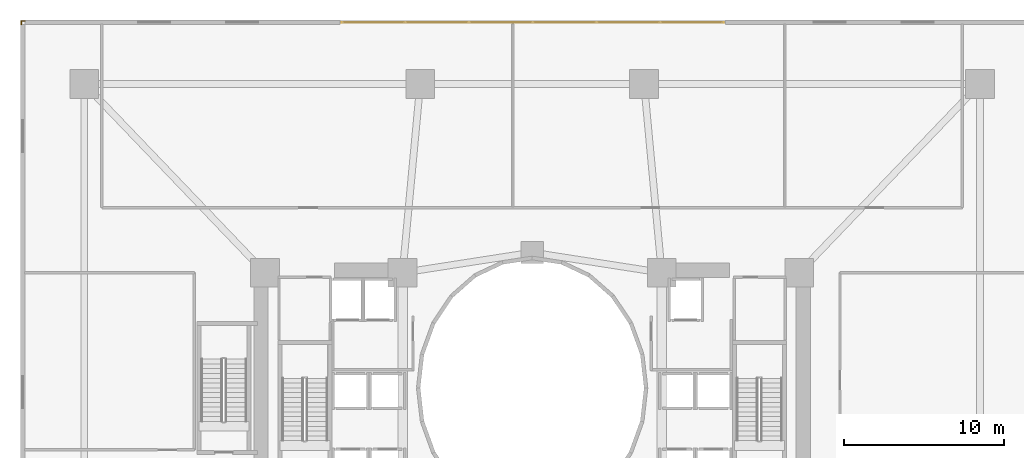
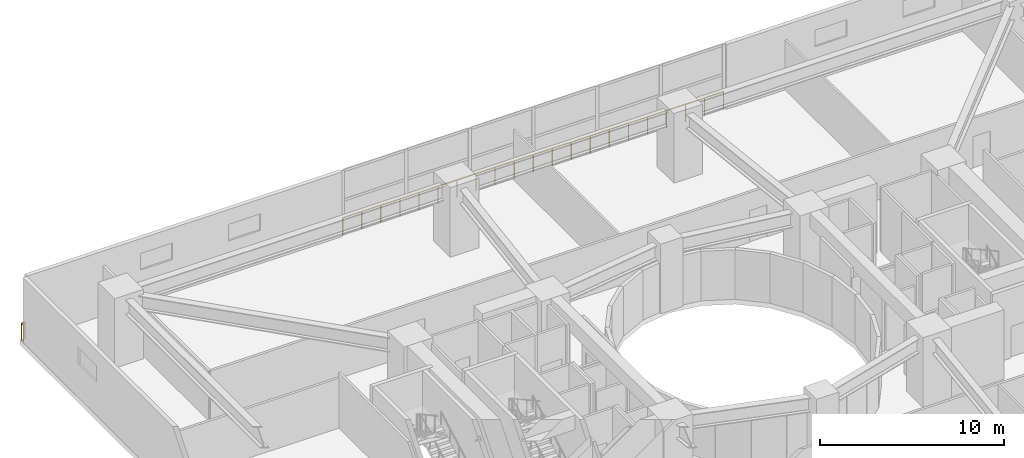
# One storey, part 19 of 20: 2 railings.
"""IFC4 building model written with IfcOpenShell, lengths in metres."""

from ifc_helpers import new_model, si_unit, direction, frame, origin, origin_2d, place, context, subcontext, project, spatial, circle, extrude, material, type_object, element, save


model = new_model("IFC4")

# Units and contexts
model_context = context("Model", 3, precision=1e-05, world=origin(), true_north=direction((0.0, 1.0)))
body_context = subcontext(model_context, "Body", "Model", "MODEL_VIEW")
ifc_project = project(units=[si_unit("LENGTHUNIT", "METRE"), si_unit("AREAUNIT", "SQUARE_METRE"), si_unit("VOLUMEUNIT", "CUBIC_METRE"), si_unit("PLANEANGLEUNIT", "RADIAN"), si_unit("MASSUNIT", "GRAM", prefix="KILO")], contexts=[model_context])

# Site, building, storey
site_placement = place(None, origin())
site = spatial("IfcSite", under=ifc_project, at=site_placement, CompositionType="ELEMENT")
building_placement = place(site_placement, origin())
building = spatial("IfcBuilding", under=site, at=building_placement, Name="Solvane Sanctuary Tower", CompositionType="ELEMENT")
storey_placement = place(building_placement, frame((0.0, 0.0, 9.199951171875)))
storey = spatial("IfcBuildingStorey", under=building, at=storey_placement, Name="L03", CompositionType="ELEMENT", Elevation=9.199951171875)

# Railings
ifc_material = material(Name="Architectural Stainless Steel 316", Category="steel")
railing_type = type_object("IfcRailingType", Name="Railing GR-BALC-1150", PredefinedType="BALUSTRADE", material=ifc_material)
railing_1_placement = place(storey_placement, frame((43.9599609375, 45.85009765625, 0.0)))
element("IfcRailing", 1, at=railing_1_placement, inside=storey, type_object=railing_type, Name="L03 Podium Curtain-Wall Sill Guard N2", PredefinedType="BALUSTRADE", context=body_context, shape_type="SweptSolid", body=[
    extrude(circle(Radius=0.02392578125, at=origin_2d()), frame((0.0, 0.0, 1.1259765625), z_axis=(-1.0, 0.0, 0.0), x_axis=(0.0, -1.0, 0.0)), (0.0, 0.0, 1.0), 23.83984375),
    extrude(circle(Radius=0.02099609375, at=origin_2d()), origin(), (0.0, 0.0, 1.0), 1.101806640625),
    extrude(circle(Radius=0.02099609375, at=origin_2d()), frame((-1.19189453125, 0.0, 0.0)), (0.0, 0.0, 1.0), 1.101806640625),
    extrude(circle(Radius=0.02099609375, at=origin_2d()), frame((-2.384033203125, 0.0, 0.0)), (0.0, 0.0, 1.0), 1.101806640625),
    extrude(circle(Radius=0.02099609375, at=origin_2d()), frame((-3.575927734375, 0.0, 0.0)), (0.0, 0.0, 1.0), 1.101806640625),
    extrude(circle(Radius=0.02099609375, at=origin_2d()), frame((-4.76806640625, 0.0, 0.0)), (0.0, 0.0, 1.0), 1.101806640625),
    extrude(circle(Radius=0.02099609375, at=origin_2d()), frame((-5.9599609375, 0.0, 0.0)), (0.0, 0.0, 1.0), 1.101806640625),
    extrude(circle(Radius=0.02099609375, at=origin_2d()), frame((-7.15185546875, 0.0, 0.0)), (0.0, 0.0, 1.0), 1.101806640625),
    extrude(circle(Radius=0.02099609375, at=origin_2d()), frame((-8.343994140625, 0.0, 0.0)), (0.0, 0.0, 1.0), 1.101806640625),
    extrude(circle(Radius=0.02099609375, at=origin_2d()), frame((-9.535888671875, 0.0, 0.0)), (0.0, 0.0, 1.0), 1.101806640625),
    extrude(circle(Radius=0.02099609375, at=origin_2d()), frame((-10.72802734375, 0.0, 0.0)), (0.0, 0.0, 1.0), 1.101806640625),
    extrude(circle(Radius=0.02099609375, at=origin_2d()), frame((-11.919921875, 0.0, 0.0)), (0.0, 0.0, 1.0), 1.101806640625),
    extrude(circle(Radius=0.02099609375, at=origin_2d()), frame((-13.11181640625, 0.0, 0.0)), (0.0, 0.0, 1.0), 1.101806640625),
    extrude(circle(Radius=0.02099609375, at=origin_2d()), frame((-14.303955078125, 0.0, 0.0)), (0.0, 0.0, 1.0), 1.101806640625),
    extrude(circle(Radius=0.02099609375, at=origin_2d()), frame((-15.495849609375, 0.0, 0.0)), (0.0, 0.0, 1.0), 1.101806640625),
    extrude(circle(Radius=0.02099609375, at=origin_2d()), frame((-16.68798828125, 0.0, 0.0)), (0.0, 0.0, 1.0), 1.101806640625),
    extrude(circle(Radius=0.02099609375, at=origin_2d()), frame((-17.8798828125, 0.0, 0.0)), (0.0, 0.0, 1.0), 1.101806640625),
    extrude(circle(Radius=0.02099609375, at=origin_2d()), frame((-19.07177734375, 0.0, 0.0)), (0.0, 0.0, 1.0), 1.101806640625),
    extrude(circle(Radius=0.02099609375, at=origin_2d()), frame((-20.263916015625, 0.0, 0.0)), (0.0, 0.0, 1.0), 1.101806640625),
    extrude(circle(Radius=0.02099609375, at=origin_2d()), frame((-21.455810546875, 0.0, 0.0)), (0.0, 0.0, 1.0), 1.101806640625),
    extrude(circle(Radius=0.02099609375, at=origin_2d()), frame((-22.64794921875, 0.0, 0.0)), (0.0, 0.0, 1.0), 1.101806640625),
    extrude(circle(Radius=0.02099609375, at=origin_2d()), frame((-23.83984375, 0.0, 0.0)), (0.0, 0.0, 1.0), 1.101806640625),
])
railing_2_placement = place(storey_placement, frame((0.06005859375, 45.719970703125, 0.0)))
element("IfcRailing", 2, at=railing_2_placement, inside=storey, type_object=railing_type, Name="L03 Perimeter Slab Edge Guardrail 02", PredefinedType="BALUSTRADE", context=body_context, shape_type="SweptSolid", body=[
    extrude(circle(Radius=0.02392578125, at=origin_2d()), frame((0.0, 0.0, 1.1259765625), z_axis=(0.0, 1.0, 0.0), x_axis=(-1.0, 0.0, 0.0)), (0.0, 0.0, 1.0), 0.219970703125),
    extrude(circle(Radius=0.02392578125, at=origin_2d()), frame((0.0, 0.219970703125, 1.1259765625), z_axis=(1.0, 0.0, 0.0), x_axis=(0.0, 1.0, 0.0)), (0.0, 0.0, 1.0), 0.219970703125),
    extrude(circle(Radius=0.02099609375, at=origin_2d()), origin(), (0.0, 0.0, 1.0), 1.101806640625),
    extrude(circle(Radius=0.02099609375, at=origin_2d()), frame((0.0, 0.219970703125, 0.0)), (0.0, 0.0, 1.0), 1.101806640625),
    extrude(circle(Radius=0.02099609375, at=origin_2d()), frame((0.219970703125, 0.219970703125, 0.0)), (0.0, 0.0, 1.0), 1.101806640625),
])

save(model, "model.ifc")
